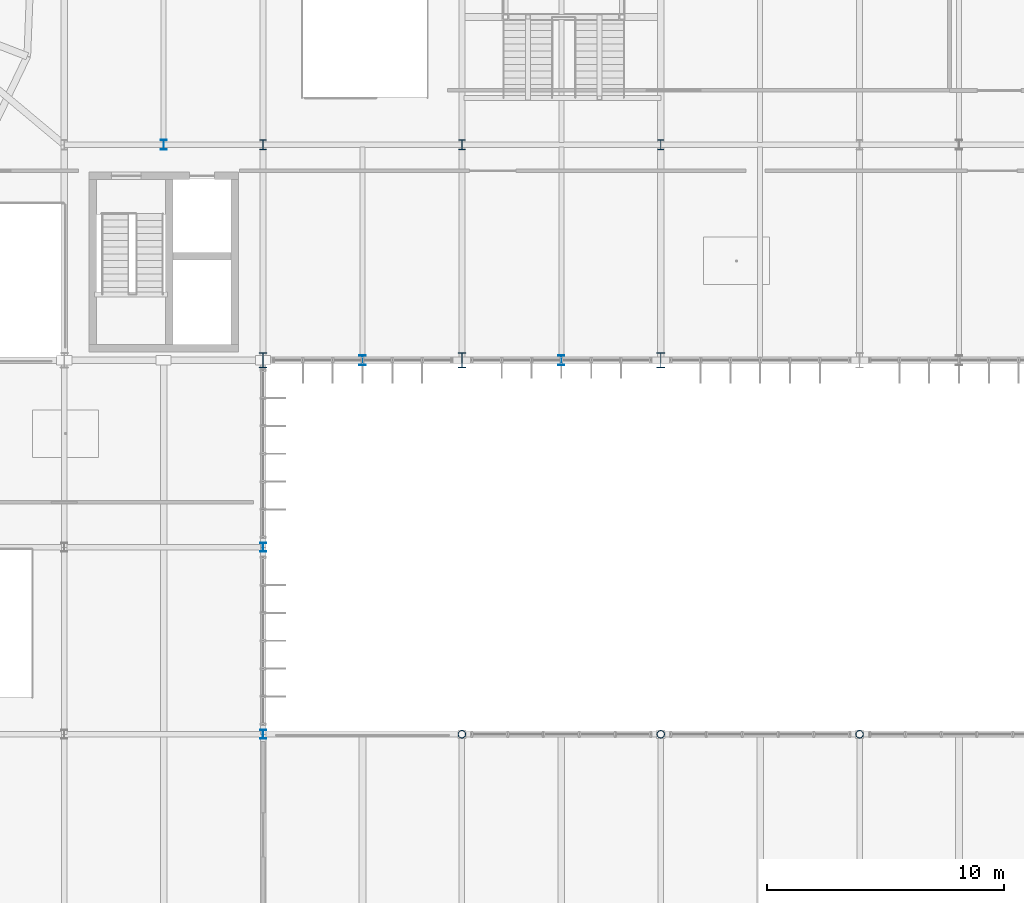
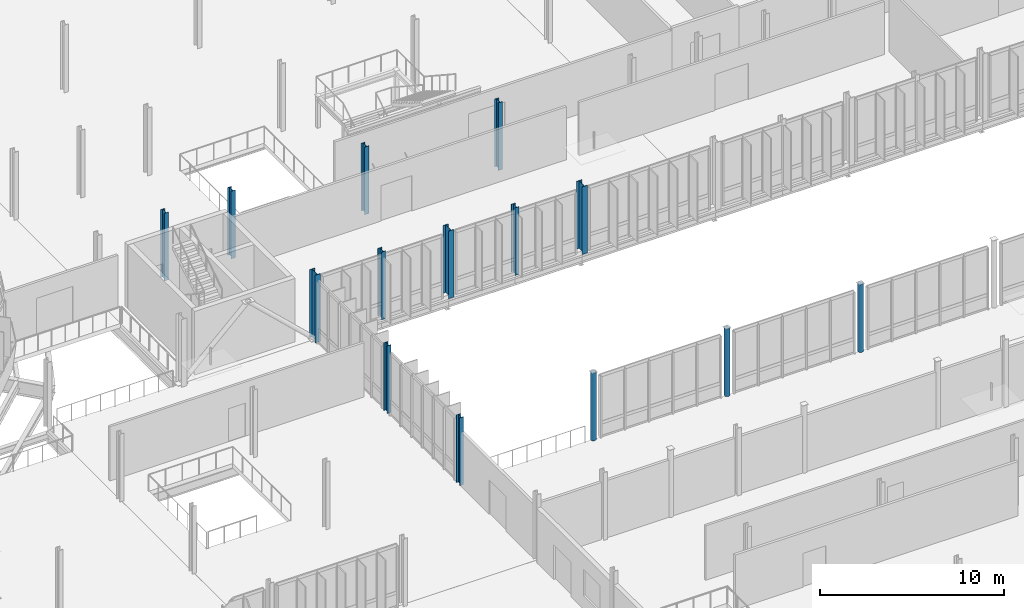
# One storey, part 6 of 139: 14 columns.
"""IFC4 building model written with IfcOpenShell, lengths in metres."""

from ifc_helpers import new_model, si_unit, derived_unit, direction, frame, origin, origin_2d, place, context, subcontext, project, spatial, hollow_circle, i_section, extrude, material, material_profile, profile_set, type_object, element, save


model = new_model("IFC4")

# Units and contexts
model_context = context("Model", 3, precision=1e-05, world=origin(), true_north=direction((0.0, 1.0)))
body_context = subcontext(model_context, "Body", "Model", "MODEL_VIEW")
ifc_project = project(units=[si_unit("LENGTHUNIT", "METRE"), si_unit("AREAUNIT", "SQUARE_METRE"), si_unit("VOLUMEUNIT", "CUBIC_METRE"), si_unit("PLANEANGLEUNIT", "RADIAN"), si_unit("MASSUNIT", "GRAM", prefix="KILO"), derived_unit("THERMALTRANSMITTANCEUNIT", [(si_unit("MASSUNIT", "GRAM", prefix="KILO"), 1), (si_unit("TIMEUNIT", "SECOND"), -3), (si_unit("THERMODYNAMICTEMPERATUREUNIT", "KELVIN"), -1)])], contexts=[model_context])

# Site, building, storey
site_placement = place(None, origin())
site = spatial("IfcSite", under=ifc_project, at=site_placement, CompositionType="ELEMENT")
building_placement = place(site_placement, origin())
building = spatial("IfcBuilding", under=site, at=building_placement, Name="Makaiwela Harbour Ferry Terminal", CompositionType="ELEMENT")
storey_placement = place(building_placement, frame((0.0, 0.0, 5.10009765625)))
storey = spatial("IfcBuildingStorey", under=building, at=storey_placement, Name="L01", CompositionType="ELEMENT", Elevation=5.10009765625)

# Columns
ifc_material_1 = material(Name="Steel ASTM A500 Grade C", Category="steel")
ifc_material_profile_1 = material_profile(ifc_material_1, hollow_circle(Radius=0.162109375, WallThickness=0.0126953125, at=origin_2d()), Name="PIPE12XS")
ifc_profile_set_1 = profile_set([ifc_material_profile_1], Name="Steel ASTM A500 Grade C")
column_type_1 = type_object("IfcColumnType", Name="STR-COL-PIPE12", PredefinedType="COLUMN", material=ifc_profile_set_1)
for number, where, z_axis, x_axis, name in (
    (1, (79.800048828125, 33.60009765625, 0.0), (0.0, 0.0, 1.0), (1.0, 0.0, 0.0), "Structural Column C-07"),
    (2, (88.199951171875, 33.60009765625, 0.0), (0.0, 0.0, 1.0), (1.0, 0.0, 0.0), "Structural Column C-07"),
    (3, (96.60009765625, 33.60009765625, 0.0), (0.0, 0.0, 1.0), (1.0, 0.0, 0.0), "Structural Column C-07"),
):
    element("IfcColumn", number, at=place(storey_placement, frame(where, z_axis=z_axis, x_axis=x_axis)), inside=storey, type_object=column_type_1, Name=name, PredefinedType="COLUMN", context=body_context, shape_type="SweptSolid", body=[
        extrude(hollow_circle(Radius=0.162109375, WallThickness=0.0126953125, at=origin_2d()), origin(), (0.0, 0.0, 1.0), 4.5),
    ])
ifc_material_2 = material(Name="Steel ASTM A992 Grade 50", Category="steel")
ifc_material_profile_2 = material_profile(ifc_material_2, i_section(OverallWidth=0.257080078125, OverallDepth=0.363037109375, WebThickness=0.012939453125, FlangeThickness=0.021728515625, at=origin_2d()), Name="W14X82")
ifc_profile_set_2 = profile_set([ifc_material_profile_2], Name="Steel ASTM A992 Grade 50")
column_type_2 = type_object("IfcColumnType", Name="STR-COL-W14X82", PredefinedType="COLUMN", material=ifc_profile_set_2)
for number, where, z_axis, x_axis, name in (
    (4, (71.39990234375, 33.60009765625, 0.0), (0.0, 0.0, 1.0), (1.0, 0.0, 0.0), "Structural Column C-05"),
    (5, (71.39990234375, 41.5, 0.0), (0.0, 0.0, 1.0), (1.0, 0.0, 0.0), "Structural Column C-05"),
):
    element("IfcColumn", number, at=place(storey_placement, frame(where, z_axis=z_axis, x_axis=x_axis)), inside=storey, type_object=column_type_2, Name=name, PredefinedType="COLUMN", context=body_context, shape_type="SweptSolid", body=[
        extrude(i_section(OverallWidth=0.257080078125, OverallDepth=0.363037109375, WebThickness=0.012939453125, FlangeThickness=0.021728515625, at=origin_2d()), origin(), (0.0, 0.0, 1.0), 4.5),
    ])
ifc_material_profile_3 = material_profile(ifc_material_2, i_section(OverallWidth=0.264892578125, OverallDepth=0.430908203125, WebThickness=0.014892578125, FlangeThickness=0.02490234375, at=origin_2d()), Name="W16X100")
ifc_profile_set_3 = profile_set([ifc_material_profile_3], Name="Steel ASTM A992 Grade 50")
column_type_3 = type_object("IfcColumnType", Name="STR-COL-W16X100", PredefinedType="COLUMN", material=ifc_profile_set_3)
for number, where, z_axis, x_axis, name in (
    (6, (71.39990234375, 58.5, 0.0), (0.0, 0.0, 1.0), (1.0, 0.0, 0.0), "Structural Column C-03"),
    (7, (79.800048828125, 58.5, 0.0), (0.0, 0.0, 1.0), (1.0, 0.0, 0.0), "Structural Column C-03"),
    (8, (88.199951171875, 58.5, 0.0), (0.0, 0.0, 1.0), (1.0, 0.0, 0.0), "Structural Column C-03"),
):
    element("IfcColumn", number, at=place(storey_placement, frame(where, z_axis=z_axis, x_axis=x_axis)), inside=storey, type_object=column_type_3, Name=name, PredefinedType="COLUMN", context=body_context, shape_type="SweptSolid", body=[
        extrude(i_section(OverallWidth=0.264892578125, OverallDepth=0.430908203125, WebThickness=0.014892578125, FlangeThickness=0.02490234375, at=origin_2d()), origin(), (0.0, 0.0, 1.0), 4.5),
    ])
ifc_material_profile_4 = material_profile(ifc_material_2, i_section(OverallWidth=0.260986328125, OverallDepth=0.4189453125, WebThickness=0.01171875, FlangeThickness=0.019287109375, at=origin_2d()), Name="W16X77")
ifc_profile_set_4 = profile_set([ifc_material_profile_4], Name="Steel ASTM A992 Grade 50")
column_type_4 = type_object("IfcColumnType", Name="STR-COL-W16X77", PredefinedType="COLUMN", material=ifc_profile_set_4)
for number, where, z_axis, x_axis, name in (
    (9, (67.199951171875, 58.5, 0.0), (0.0, 0.0, 1.0), (1.0, 0.0, 0.0), "Structural Column C-04"),
    (10, (75.60009765625, 49.39990234375, 0.0), (0.0, 0.0, 1.0), (1.0, 0.0, 0.0), "Structural Column C-04"),
    (11, (84.0, 49.39990234375, 0.0), (0.0, 0.0, 1.0), (1.0, 0.0, 0.0), "Structural Column C-04"),
):
    element("IfcColumn", number, at=place(storey_placement, frame(where, z_axis=z_axis, x_axis=x_axis)), inside=storey, type_object=column_type_4, Name=name, PredefinedType="COLUMN", context=body_context, shape_type="SweptSolid", body=[
        extrude(i_section(OverallWidth=0.260986328125, OverallDepth=0.4189453125, WebThickness=0.01171875, FlangeThickness=0.019287109375, at=origin_2d()), origin(), (0.0, 0.0, 1.0), 4.5),
    ])
ifc_material_profile_5 = material_profile(ifc_material_2, i_section(OverallWidth=0.327880859375, OverallDepth=0.6279296875, WebThickness=0.0166015625, FlangeThickness=0.027587890625, at=origin_2d()), Name="W24X146")
ifc_profile_set_5 = profile_set([ifc_material_profile_5], Name="Steel ASTM A992 Grade 50")
column_type_5 = type_object("IfcColumnType", Name="STR-COL-W24X146", PredefinedType="COLUMN", material=ifc_profile_set_5)
for number, where, z_axis, x_axis, name in (
    (12, (71.39990234375, 49.39990234375, 0.0), (0.0, 0.0, 1.0), (1.0, 0.0, 0.0), "Structural Column C-01"),
    (13, (79.800048828125, 49.39990234375, 0.0), (0.0, 0.0, 1.0), (1.0, 0.0, 0.0), "Structural Column C-01"),
    (14, (88.199951171875, 49.39990234375, 0.0), (0.0, 0.0, 1.0), (1.0, 0.0, 0.0), "Structural Column C-01"),
):
    element("IfcColumn", number, at=place(storey_placement, frame(where, z_axis=z_axis, x_axis=x_axis)), inside=storey, type_object=column_type_5, Name=name, PredefinedType="COLUMN", context=body_context, shape_type="SweptSolid", body=[
        extrude(i_section(OverallWidth=0.327880859375, OverallDepth=0.6279296875, WebThickness=0.0166015625, FlangeThickness=0.027587890625, at=origin_2d()), origin(), (0.0, 0.0, 1.0), 4.5),
    ])

save(model, "model.ifc")
